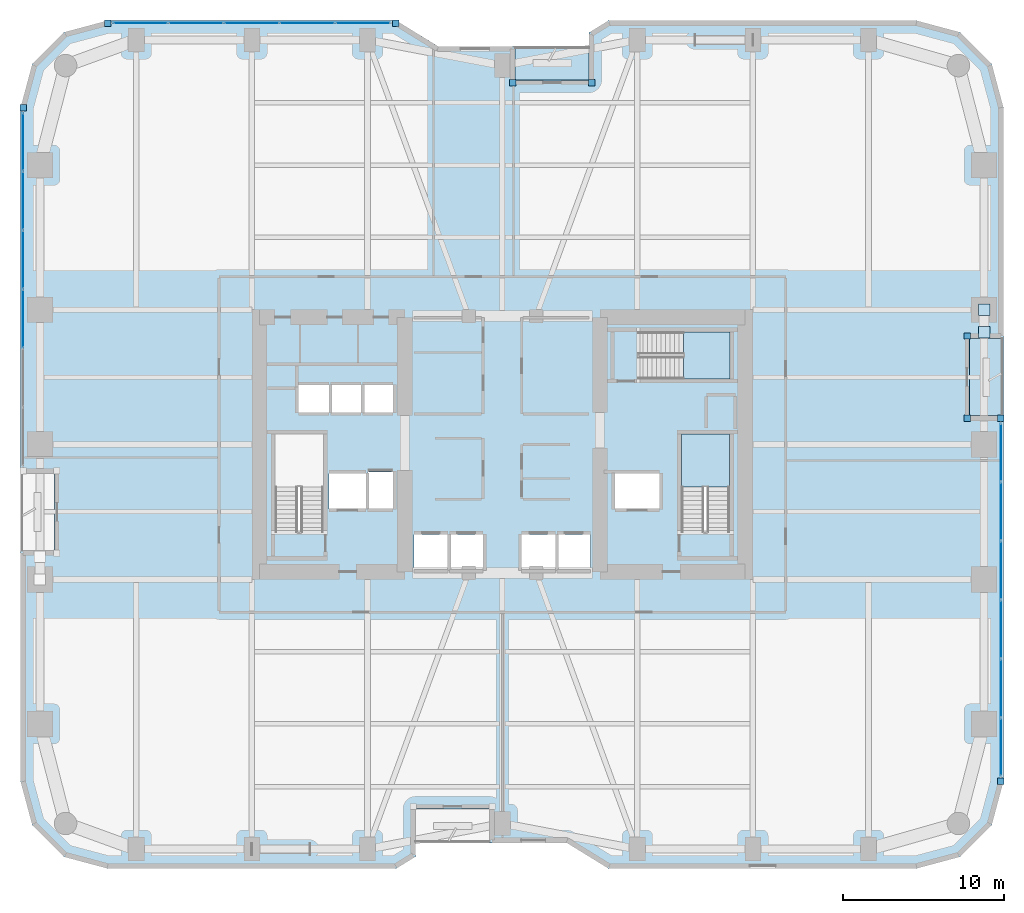
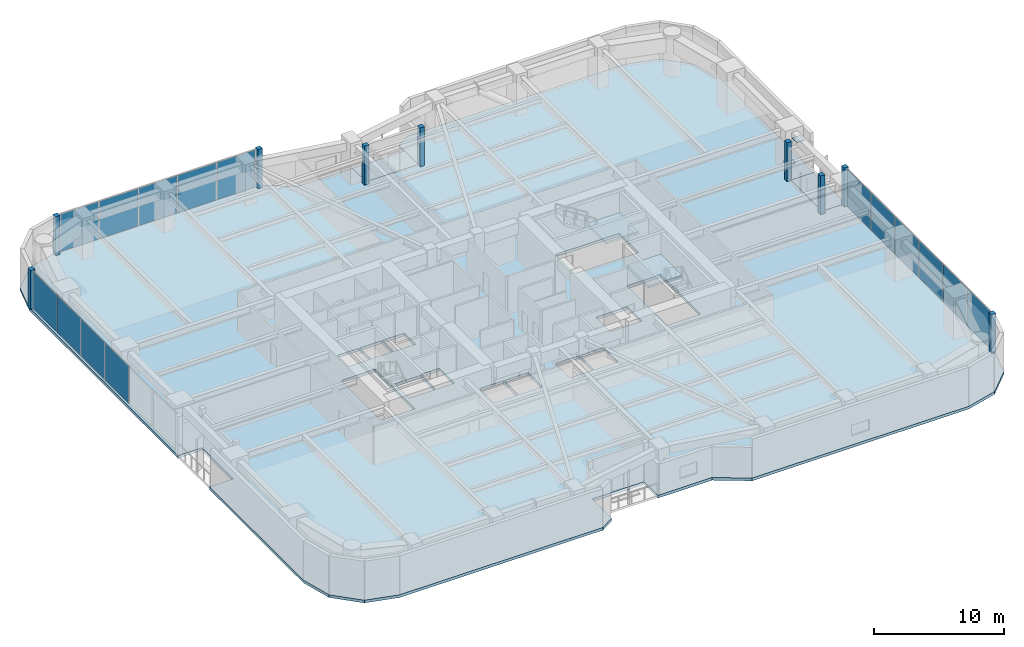
# One storey, part 20 of 29: 26 plates, 5 slabs, 5 elements without a shape of their own.
"""IFC4 building model written with IfcOpenShell, lengths in metres."""

from ifc_helpers import new_model, si_unit, direction, frame, origin, origin_2d, place, context, subcontext, project, spatial, polyline, rectangle, outline, extrude, material, layer, layer_set, type_object, element, aggregate, save


model = new_model("IFC4")

# Units and contexts
model_context = context("Model", 3, precision=1e-05, world=origin(), true_north=direction((0.0, 1.0)))
body_context = subcontext(model_context, "Body", "Model", "MODEL_VIEW")
ifc_project = project(units=[si_unit("LENGTHUNIT", "METRE"), si_unit("AREAUNIT", "SQUARE_METRE"), si_unit("VOLUMEUNIT", "CUBIC_METRE"), si_unit("PLANEANGLEUNIT", "RADIAN"), si_unit("MASSUNIT", "GRAM", prefix="KILO")], contexts=[model_context])

# Site, building, storey
site_placement = place(None, origin())
site = spatial("IfcSite", under=ifc_project, at=site_placement, CompositionType="ELEMENT")
building_placement = place(site_placement, origin())
building = spatial("IfcBuilding", under=site, at=building_placement, Name="Kiyonajd Concourse Tower", CompositionType="ELEMENT")
storey_placement = place(building_placement, frame((0.0, 0.0, 25.5)))
storey = spatial("IfcBuildingStorey", under=building, at=storey_placement, Name="L07", CompositionType="ELEMENT", Elevation=25.5)

# Plates
ifc_material_1 = material(Name="Steel ASTM A572 Grade 50", Category="steel")
ifc_layer_1 = layer(ifc_material_1, 0.028076171875)
ifc_layer_set_1 = layer_set([ifc_layer_1], Name="Steel ASTM A572 Grade 50")
plate_type_1 = type_object("IfcPlateType", Name="PL-CAP-450", PredefinedType="USERDEFINED", material=ifc_layer_set_1)
for number, where, z_axis, x_axis, name in (
    (1, (78.0, 44.40478515625, 0.27587890625), (0.0, 0.0, 1.0), (1.0, 0.0, 0.0), "L07 Hollow Brace End Cap Plate PBE"),
    (2, (78.0, 42.995361328125, 3.2861328125), (0.0, 0.0, 1.0), (1.0, 0.0, 0.0), "L07 Hollow Brace Top Cap Plate PBE"),
):
    element("IfcPlate", number, at=place(storey_placement, frame(where, z_axis=z_axis, x_axis=x_axis)), inside=storey, type_object=plate_type_1, Name=name, ObjectType="CAP PLATE", PredefinedType="USERDEFINED", context=body_context, shape_type="SweptSolid", body=[
        extrude(rectangle(XDim=0.7099609375, YDim=0.7099609375, at=origin_2d()), origin(), (0.0, 0.0, 1.0), 0.028076171875),
    ])

# Curtain wall, plates
ifc_material_2 = material(Name="Thermally Broken Anodised Aluminium", Category="aluminium")
ifc_layer_2 = layer(ifc_material_2, 0.179931640625)
ifc_layer_set_2 = layer_set([ifc_layer_2], Name="Thermally Broken Anodised Aluminium")
curtain_wall_type = type_object("IfcCurtainWallType", Name="CW-SYS-02", PredefinedType="NOTDEFINED", material=ifc_layer_set_2)
curtain_wall_1_placement = place(storey_placement, origin())
curtain_wall_1 = element("IfcCurtainWall", 3, at=curtain_wall_1_placement, inside=storey, type_object=curtain_wall_type, Name="L07 Unitised Curtain Wall CW2", PredefinedType="NOTDEFINED")
ifc_material_3 = material(Name="Double Low-E Insulated Glass", Category="glass")
ifc_layer_3 = layer(ifc_material_3, 0.028076171875)
ifc_layer_set_3 = layer_set([ifc_layer_3], Name="Double Low-E Insulated Glass")
plate_type_2 = type_object("IfcPlateType", Name="PL-CW-VIS28", PredefinedType="CURTAIN_PANEL", material=ifc_layer_set_3)
plate_1_placement = place(storey_placement, frame((18.159912109375, 43.832763671875, 0.06494140625), z_axis=(0.0, 0.0, 1.0), x_axis=(0.0, 1.0, 0.0)))
plate_1 = element("IfcPlate", 4, at=plate_1_placement, type_object=plate_type_2, Name="CW2 panel 3.1", PredefinedType="CURTAIN_PANEL", context=body_context, shape_type="SweptSolid", body=[
    extrude(rectangle(XDim=3.608154296875, YDim=0.028076171875, at=origin_2d()), origin(), (0.0, 0.0, 1.0), 3.510009765625),
])
plate_2_placement = place(storey_placement, frame((18.159912109375, 47.506103515625, 0.06494140625), z_axis=(0.0, 0.0, 1.0), x_axis=(0.0, 1.0, 0.0)))
plate_2 = element("IfcPlate", 5, at=plate_2_placement, type_object=plate_type_2, Name="CW2 panel 4.1", PredefinedType="CURTAIN_PANEL", context=body_context, shape_type="SweptSolid", body=[
    extrude(rectangle(XDim=3.608154296875, YDim=0.028076171875, at=origin_2d()), origin(), (0.0, 0.0, 1.0), 3.510009765625),
])
plate_3_placement = place(storey_placement, frame((18.159912109375, 51.17919921875, 0.06494140625), z_axis=(0.0, 0.0, 1.0), x_axis=(0.0, 1.0, 0.0)))
plate_3 = element("IfcPlate", 6, at=plate_3_placement, type_object=plate_type_2, Name="CW2 panel 5.1", PredefinedType="CURTAIN_PANEL", context=body_context, shape_type="SweptSolid", body=[
    extrude(rectangle(XDim=3.608154296875, YDim=0.028076171875, at=origin_2d()), origin(), (0.0, 0.0, 1.0), 3.510009765625),
])
plate_4_placement = place(storey_placement, frame((18.159912109375, 54.836181640625, 0.06494140625), z_axis=(0.0, 0.0, 1.0), x_axis=(0.0, 1.0, 0.0)))
plate_4 = element("IfcPlate", 7, at=plate_4_placement, type_object=plate_type_2, Name="CW2 panel 6.1", PredefinedType="CURTAIN_PANEL", context=body_context, shape_type="SweptSolid", body=[
    extrude(rectangle(XDim=3.57568359375, YDim=0.028076171875, at=origin_2d()), origin(), (0.0, 0.0, 1.0), 3.510009765625),
])
aggregate(curtain_wall_1, [plate_1, plate_2, plate_3, plate_4])

curtain_wall_2_placement = place(storey_placement, origin())
curtain_wall_2 = element("IfcCurtainWall", 8, at=curtain_wall_2_placement, inside=storey, type_object=curtain_wall_type, Name="L07 Unitised Curtain Wall CW2", PredefinedType="NOTDEFINED")
plate_5_placement = place(storey_placement, frame((25.462646484375, 62.239990234375, 0.06494140625), z_axis=(0.0, 0.0, 1.0), x_axis=(1.0, 0.0, 0.0)))
plate_5 = element("IfcPlate", 9, at=plate_5_placement, type_object=plate_type_2, Name="CW2 panel 1.1", PredefinedType="CURTAIN_PANEL", context=body_context, shape_type="SweptSolid", body=[
    extrude(rectangle(XDim=3.373291015625, YDim=0.028076171875, at=origin_2d()), origin(), (0.0, 0.0, 1.0), 3.510009765625),
])
plate_6_placement = place(storey_placement, frame((28.917236328125, 62.239990234375, 0.06494140625), z_axis=(0.0, 0.0, 1.0), x_axis=(1.0, 0.0, 0.0)))
plate_6 = element("IfcPlate", 10, at=plate_6_placement, type_object=plate_type_2, Name="CW2 panel 2.1", PredefinedType="CURTAIN_PANEL", context=body_context, shape_type="SweptSolid", body=[
    extrude(rectangle(XDim=3.40576171875, YDim=0.028076171875, at=origin_2d()), origin(), (0.0, 0.0, 1.0), 3.510009765625),
])
plate_7_placement = place(storey_placement, frame((32.387939453125, 62.239990234375, 0.06494140625), z_axis=(0.0, 0.0, 1.0), x_axis=(1.0, 0.0, 0.0)))
plate_7 = element("IfcPlate", 11, at=plate_7_placement, type_object=plate_type_2, Name="CW2 panel 3.1", PredefinedType="CURTAIN_PANEL", context=body_context, shape_type="SweptSolid", body=[
    extrude(rectangle(XDim=3.40576171875, YDim=0.028076171875, at=origin_2d()), origin(), (0.0, 0.0, 1.0), 3.510009765625),
])
plate_8_placement = place(storey_placement, frame((35.858642578125, 62.239990234375, 0.06494140625), z_axis=(0.0, 0.0, 1.0), x_axis=(1.0, 0.0, 0.0)))
plate_8 = element("IfcPlate", 12, at=plate_8_placement, type_object=plate_type_2, Name="CW2 panel 4.1", PredefinedType="CURTAIN_PANEL", context=body_context, shape_type="SweptSolid", body=[
    extrude(rectangle(XDim=3.40576171875, YDim=0.028076171875, at=origin_2d()), origin(), (0.0, 0.0, 1.0), 3.510009765625),
])
plate_9_placement = place(storey_placement, frame((39.31298828125, 62.239990234375, 0.06494140625), z_axis=(0.0, 0.0, 1.0), x_axis=(1.0, 0.0, 0.0)))
plate_9 = element("IfcPlate", 13, at=plate_9_placement, type_object=plate_type_2, Name="CW2 panel 5.1", PredefinedType="CURTAIN_PANEL", context=body_context, shape_type="SweptSolid", body=[
    extrude(rectangle(XDim=3.373291015625, YDim=0.028076171875, at=origin_2d()), origin(), (0.0, 0.0, 1.0), 3.510009765625),
])
aggregate(curtain_wall_2, [plate_5, plate_6, plate_7, plate_8, plate_9])

curtain_wall_3_placement = place(storey_placement, origin())
curtain_wall_3 = element("IfcCurtainWall", 14, at=curtain_wall_3_placement, inside=storey, type_object=curtain_wall_type, Name="L07 Unitised Curtain Wall CW2", PredefinedType="NOTDEFINED")
plate_10_placement = place(storey_placement, frame((79.0400390625, 35.4970703125, 0.06494140625), z_axis=(0.0, 0.0, 1.0), x_axis=(0.0, -1.0, 0.0)))
plate_10 = element("IfcPlate", 15, at=plate_10_placement, type_object=plate_type_2, Name="CW2 panel 1.1", PredefinedType="CURTAIN_PANEL", context=body_context, shape_type="SweptSolid", body=[
    extrude(rectangle(XDim=3.57568359375, YDim=0.028076171875, at=origin_2d()), origin(), (0.0, 0.0, 1.0), 3.510009765625),
])
plate_11_placement = place(storey_placement, frame((79.0400390625, 31.84033203125, 0.06494140625), z_axis=(0.0, 0.0, 1.0), x_axis=(0.0, -1.0, 0.0)))
plate_11 = element("IfcPlate", 16, at=plate_11_placement, type_object=plate_type_2, Name="CW2 panel 2.1", PredefinedType="CURTAIN_PANEL", context=body_context, shape_type="SweptSolid", body=[
    extrude(rectangle(XDim=3.608154296875, YDim=0.028076171875, at=origin_2d()), origin(), (0.0, 0.0, 1.0), 3.510009765625),
])
plate_12_placement = place(storey_placement, frame((79.0400390625, 28.167236328125, 0.06494140625), z_axis=(0.0, 0.0, 1.0), x_axis=(0.0, -1.0, 0.0)))
plate_12 = element("IfcPlate", 17, at=plate_12_placement, type_object=plate_type_2, Name="CW2 panel 3.1", PredefinedType="CURTAIN_PANEL", context=body_context, shape_type="SweptSolid", body=[
    extrude(rectangle(XDim=3.608154296875, YDim=0.028076171875, at=origin_2d()), origin(), (0.0, 0.0, 1.0), 3.510009765625),
])
plate_13_placement = place(storey_placement, frame((79.0400390625, 24.493896484375, 0.06494140625), z_axis=(0.0, 0.0, 1.0), x_axis=(0.0, -1.0, 0.0)))
plate_13 = element("IfcPlate", 18, at=plate_13_placement, type_object=plate_type_2, Name="CW2 panel 4.1", PredefinedType="CURTAIN_PANEL", context=body_context, shape_type="SweptSolid", body=[
    extrude(rectangle(XDim=3.608154296875, YDim=0.028076171875, at=origin_2d()), origin(), (0.0, 0.0, 1.0), 3.510009765625),
])
plate_14_placement = place(storey_placement, frame((79.0400390625, 20.82080078125, 0.06494140625), z_axis=(0.0, 0.0, 1.0), x_axis=(0.0, -1.0, 0.0)))
plate_14 = element("IfcPlate", 19, at=plate_14_placement, type_object=plate_type_2, Name="CW2 panel 5.1", PredefinedType="CURTAIN_PANEL", context=body_context, shape_type="SweptSolid", body=[
    extrude(rectangle(XDim=3.608154296875, YDim=0.028076171875, at=origin_2d()), origin(), (0.0, 0.0, 1.0), 3.510009765625),
])
plate_15_placement = place(storey_placement, frame((79.0400390625, 17.163818359375, 0.06494140625), z_axis=(0.0, 0.0, 1.0), x_axis=(0.0, -1.0, 0.0)))
plate_15 = element("IfcPlate", 20, at=plate_15_placement, type_object=plate_type_2, Name="CW2 panel 6.1", PredefinedType="CURTAIN_PANEL", context=body_context, shape_type="SweptSolid", body=[
    extrude(rectangle(XDim=3.57568359375, YDim=0.028076171875, at=origin_2d()), origin(), (0.0, 0.0, 1.0), 3.510009765625),
])
aggregate(curtain_wall_3, [plate_10, plate_11, plate_12, plate_13, plate_14, plate_15])

# Plates
ifc_layer_4 = layer(ifc_material_2, 0.39990234375)
ifc_layer_set_4 = layer_set([ifc_layer_4], Name="Thermally Broken Anodised Aluminium")
plate_type_3 = type_object("IfcPlateType", Name="PL-JMB-400", PredefinedType="USERDEFINED", material=ifc_layer_set_4)
for number, where, z_axis, x_axis, name in (
    (21, (18.159912109375, 56.97900390625, 0.0), (0.0, 0.0, 1.0), (1.0, 0.0, 0.0), "L07 Facade Jamb Closure Plate 04"),
    (22, (23.421142578125, 62.239990234375, 0.0), (0.0, 0.0, 1.0), (1.0, 0.0, 0.0), "L07 Facade Jamb Closure Plate 05"),
    (23, (41.354736328125, 62.239990234375, 0.0), (0.0, 0.0, 1.0), (1.0, 0.0, 0.0), "L07 Facade Jamb Closure Plate 06"),
    (24, (48.639892578125, 58.5400390625, 0.0), (0.0, 0.0, 1.0), (1.0, 0.0, 0.0), "L07 Facade Jamb Closure Plate 07"),
    (25, (53.56005859375, 58.5400390625, 0.0), (0.0, 0.0, 1.0), (1.0, 0.0, 0.0), "L07 Facade Jamb Closure Plate 08"),
    (26, (76.93994140625, 42.760009765625, 0.0), (0.0, 0.0, 1.0), (1.0, 0.0, 0.0), "L07 Facade Jamb Closure Plate 09"),
    (27, (76.93994140625, 37.639892578125, 0.0), (0.0, 0.0, 1.0), (1.0, 0.0, 0.0), "L07 Facade Jamb Closure Plate 10"),
    (28, (79.0400390625, 37.639892578125, 0.0), (0.0, 0.0, 1.0), (1.0, 0.0, 0.0), "L07 Facade Jamb Closure Plate 11"),
    (29, (79.0400390625, 15.02099609375, 0.0), (0.0, 0.0, 1.0), (1.0, 0.0, 0.0), "L07 Facade Jamb Closure Plate 12"),
):
    element("IfcPlate", number, at=place(storey_placement, frame(where, z_axis=z_axis, x_axis=x_axis)), inside=storey, type_object=plate_type_3, Name=name, ObjectType="JAMB PLATE", PredefinedType="USERDEFINED", context=body_context, shape_type="SweptSolid", body=[
        extrude(rectangle(XDim=0.39990234375, YDim=0.39990234375, at=origin_2d()), origin(), (0.0, 0.0, 1.0), 3.639892578125),
    ])

# Stair, slab
ifc_material_4 = material(Name="Concrete C40/50", Category="concrete")
stair_type = type_object("IfcStairType", Name="ST-DLG-22R", PredefinedType="HALF_TURN_STAIR", material=ifc_material_4)
stair_1_placement = place(storey_placement, origin())
stair_1 = element("IfcStair", 30, at=stair_1_placement, inside=storey, type_object=stair_type, Name="L07 Protected Exit Stair ST2", PredefinedType="HALF_TURN_STAIR")
ifc_layer_5 = layer(ifc_material_4, 0.199951171875)
ifc_layer_set_5 = layer_set([ifc_layer_5], Name="Concrete C40/50")
slab_type_1 = type_object("IfcSlabType", Name="SL-LND-200", PredefinedType="LANDING", material=ifc_layer_set_5)
slab_1_placement = place(storey_placement, frame((0.0, 0.0, 1.75)))
slab_1 = element("IfcSlab", 31, at=slab_1_placement, type_object=slab_type_1, Name="ST2 landing 1", PredefinedType="LANDING", context=body_context, shape_type="SweptSolid", body=[
    extrude(outline(polyline([(62.14990234375, 33.35009765625), (62.14990234375, 36.64990234375), (59.14990234375, 36.64990234375), (59.14990234375, 33.35009765625), (62.14990234375, 33.35009765625)])), origin(), (0.0, 0.0, 1.0), 0.199951171875),
])
aggregate(stair_1, [slab_1])

stair_2_placement = place(storey_placement, origin())
stair_2 = element("IfcStair", 32, at=stair_2_placement, inside=storey, type_object=stair_type, Name="L07 Protected Exit Stair ST3", PredefinedType="HALF_TURN_STAIR")
slab_2_placement = place(storey_placement, frame((0.0, 0.0, 1.75)))
slab_2 = element("IfcSlab", 33, at=slab_2_placement, type_object=slab_type_1, Name="ST3 landing 1", PredefinedType="LANDING", context=body_context, shape_type="SweptSolid", body=[
    extrude(outline(polyline([(59.280029296875, 40.080078125), (62.179931640625, 40.080078125), (62.179931640625, 43.02001953125), (59.280029296875, 43.02001953125), (59.280029296875, 40.080078125)])), origin(), (0.0, 0.0, 1.0), 0.199951171875),
])
aggregate(stair_2, [slab_2])

# Slabs
ifc_material_5 = material(Name="Precast concrete C50/60", Category="concrete")
ifc_layer_6 = layer(ifc_material_5, 0.199951171875)
ifc_layer_set_6 = layer_set([ifc_layer_6], Name="Precast concrete C50/60")
slab_type_2 = type_object("IfcSlabType", Name="SL-LOG-200", PredefinedType="FLOOR", material=ifc_layer_set_6)
slab_3_placement = place(storey_placement, frame((0.0, 0.0, -0.199951171875)))
element("IfcSlab", 34, at=slab_3_placement, inside=storey, type_object=slab_type_2, Name="L07 Recessed Engawa Loggia Terrace Slab LOG-N", PredefinedType="FLOOR", context=body_context, shape_type="SweptSolid", body=[
    extrude(outline(polyline([(48.800048828125, 58.699951171875), (53.39990234375, 58.699951171875), (53.39990234375, 60.800048828125), (48.800048828125, 60.800048828125), (48.800048828125, 58.699951171875)])), origin(), (0.0, 0.0, 1.0), 0.199951171875),
])
slab_4_placement = place(storey_placement, frame((0.0, 0.0, -0.199951171875)))
element("IfcSlab", 35, at=slab_4_placement, inside=storey, type_object=slab_type_2, Name="L07 Recessed Engawa Loggia Terrace Slab LOG-E", PredefinedType="FLOOR", context=body_context, shape_type="SweptSolid", body=[
    extrude(outline(polyline([(77.10009765625, 37.800048828125), (79.199951171875, 37.800048828125), (79.199951171875, 42.60009765625), (77.10009765625, 42.60009765625), (77.10009765625, 37.800048828125)])), origin(), (0.0, 0.0, 1.0), 0.199951171875),
])
ifc_layer_7 = layer(ifc_material_4, 0.260009765625)
ifc_layer_set_7 = layer_set([ifc_layer_7], Name="Concrete C40/50")
slab_type_3 = type_object("IfcSlabType", Name="SL-TWR-260", PredefinedType="FLOOR", material=ifc_layer_set_7)
slab_5_placement = place(storey_placement, frame((0.0, 0.0, -0.260009765625)))
element("IfcSlab", 36, at=slab_5_placement, inside=storey, type_object=slab_type_3, Name="L07 Tower Conditioned Floor Slab", PredefinedType="FLOOR", context=body_context, shape_type="SweptSolid", body=[
    extrude(outline(polyline([(18.722900390625, 12.300048828125), (18.0, 15.0), (18.0, 29.39990234375), (20.10009765625, 29.39990234375), (20.10009765625, 34.199951171875), (18.0, 34.199951171875), (18.0, 57.0), (18.722900390625, 59.699951171875), (20.699951171875, 61.677001953125), (23.39990234375, 62.39990234375), (41.39990234375, 62.39990234375), (44.0, 60.800048828125), (48.800048828125, 60.800048828125), (48.800048828125, 58.699951171875), (53.39990234375, 58.699951171875), (53.39990234375, 61.662109375), (54.60009765625, 62.39990234375), (73.800048828125, 62.39990234375), (76.5, 61.677001953125), (78.47705078125, 59.699951171875), (79.199951171875, 57.0), (79.199951171875, 42.60009765625), (77.10009765625, 42.60009765625), (77.10009765625, 37.800048828125), (79.199951171875, 37.800048828125), (79.199951171875, 15.0), (78.47705078125, 12.300048828125), (76.5, 10.322998046875), (73.800048828125, 9.60009765625), (54.60009765625, 9.60009765625), (52.0, 11.199951171875), (47.199951171875, 11.199951171875), (47.199951171875, 13.300048828125), (42.60009765625, 13.300048828125), (42.60009765625, 10.337890625), (41.39990234375, 9.60009765625), (23.39990234375, 9.60009765625), (20.699951171875, 10.322998046875), (18.722900390625, 12.300048828125)]), holes=[polyline([(44.60009765625, 28.199951171875), (42.5, 28.199951171875), (42.5, 30.39990234375), (44.60009765625, 30.39990234375), (44.60009765625, 28.199951171875)]), polyline([(37.199951171875, 32.0), (37.199951171875, 34.199951171875), (39.5, 34.199951171875), (39.5, 32.0), (37.199951171875, 32.0)]), polyline([(39.60009765625, 32.0), (39.60009765625, 34.300048828125), (41.199951171875, 34.300048828125), (41.199951171875, 32.0), (39.60009765625, 32.0)]), polyline([(36.85009765625, 30.550048828125), (33.85009765625, 30.550048828125), (33.85009765625, 36.64990234375), (36.85009765625, 36.64990234375), (36.85009765625, 30.550048828125)]), polyline([(35.300048828125, 38.0), (35.300048828125, 39.699951171875), (37.199951171875, 39.699951171875), (37.199951171875, 38.0), (35.300048828125, 38.0)]), polyline([(37.300048828125, 38.0), (37.300048828125, 39.699951171875), (39.199951171875, 39.699951171875), (39.199951171875, 38.0), (37.300048828125, 38.0)]), polyline([(41.199951171875, 38.0), (39.300048828125, 38.0), (39.300048828125, 39.699951171875), (41.199951171875, 39.699951171875), (41.199951171875, 38.0)]), polyline([(44.699951171875, 28.199951171875), (44.699951171875, 30.39990234375), (46.800048828125, 30.39990234375), (46.800048828125, 28.199951171875), (44.699951171875, 28.199951171875)]), polyline([(49.199951171875, 28.199951171875), (49.199951171875, 30.39990234375), (51.300048828125, 30.39990234375), (51.300048828125, 28.199951171875), (49.199951171875, 28.199951171875)]), polyline([(51.39990234375, 28.199951171875), (51.39990234375, 30.39990234375), (53.5, 30.39990234375), (53.5, 28.199951171875), (51.39990234375, 28.199951171875)]), polyline([(55.0, 32.0), (55.0, 34.199951171875), (57.800048828125, 34.199951171875), (57.800048828125, 32.0), (55.0, 32.0)]), polyline([(59.14990234375, 30.550048828125), (59.14990234375, 36.64990234375), (62.14990234375, 36.64990234375), (62.14990234375, 30.550048828125), (59.14990234375, 30.550048828125)]), polyline([(56.47998046875, 43.02001953125), (62.179931640625, 43.02001953125), (62.179931640625, 40.080078125), (56.47998046875, 40.080078125), (56.47998046875, 43.02001953125)])]), origin(), (0.0, 0.0, 1.0), 0.260009765625),
])

save(model, "model.ifc")
